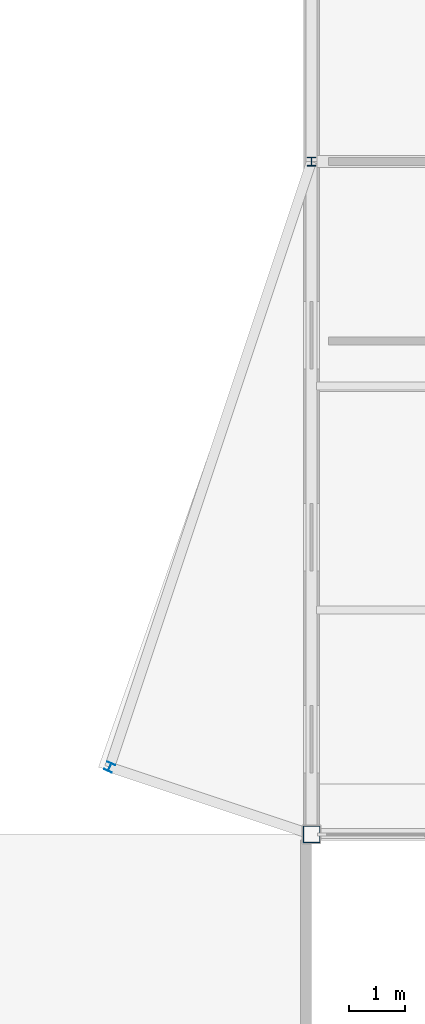
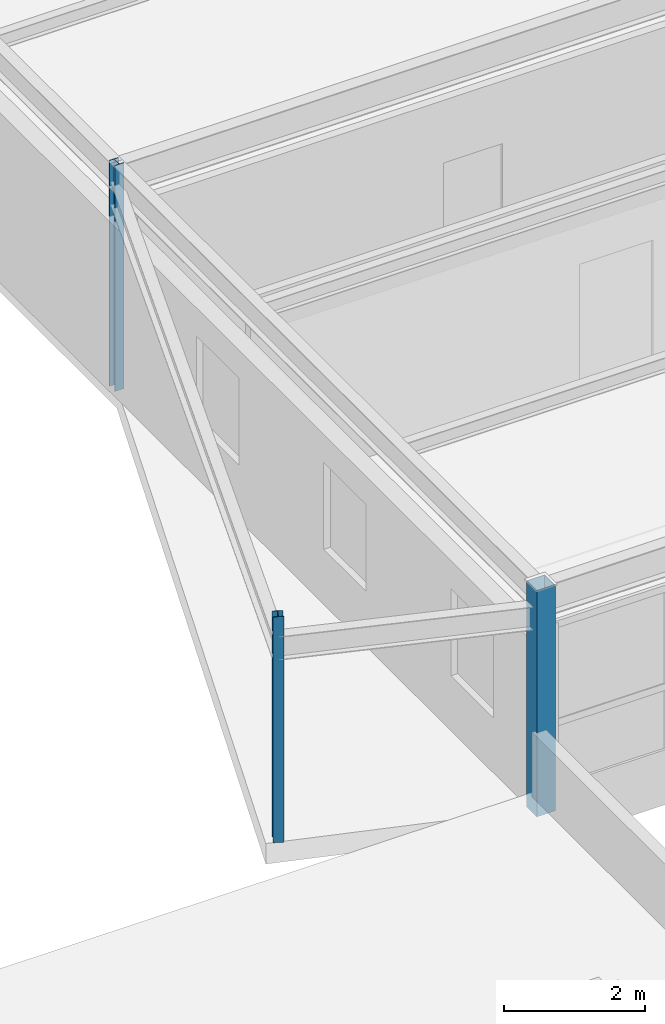
# One storey, part 21 of 128: 3 columns.
"""IFC4 building model written with IfcOpenShell, lengths in metres."""

from ifc_helpers import new_model, si_unit, direction, frame, origin, origin_2d, place, context, subcontext, project, spatial, hollow_rectangle, i_section, extrude, material, material_profile, profile_set, type_object, element, save


model = new_model("IFC4")

# Units and contexts
model_context = context("Model", 3, precision=1e-05, world=origin(), true_north=direction((0.0, 1.0)))
body_context = subcontext(model_context, "Body", "Model", "MODEL_VIEW")
ifc_project = project(units=[si_unit("LENGTHUNIT", "METRE"), si_unit("AREAUNIT", "SQUARE_METRE"), si_unit("VOLUMEUNIT", "CUBIC_METRE"), si_unit("PLANEANGLEUNIT", "RADIAN"), si_unit("MASSUNIT", "GRAM", prefix="KILO")], contexts=[model_context])

# Site, building, storey
site_placement = place(None, origin())
site = spatial("IfcSite", under=ifc_project, at=site_placement, CompositionType="ELEMENT")
building_placement = place(site_placement, origin())
building = spatial("IfcBuilding", under=site, at=building_placement, Name="Tarnwether General Hospital", CompositionType="ELEMENT")
storey_placement = place(building_placement, frame((0.0, 0.0, 14.39990234375)))
storey = spatial("IfcBuildingStorey", under=building, at=storey_placement, Name="L03", CompositionType="ELEMENT", Elevation=14.39990234375)

# Columns
ifc_material_1 = material(Name="Steel Grade C350L0 (350 MPa)", Category="steel")
ifc_material_profile_1 = material_profile(ifc_material_1, hollow_rectangle(XDim=0.300048828125, YDim=0.300048828125, WallThickness=0.012451171875, at=origin_2d()), Name="SHS300x300x12.5")
ifc_profile_set_1 = profile_set([ifc_material_profile_1], Name="Steel Grade C350L0 (350 MPa)")
column_type_1 = type_object("IfcColumnType", Name="COL-30", PredefinedType="COLUMN", material=ifc_profile_set_1)
column_1_placement = place(storey_placement, frame((144.0, 81.60009765625, 0.0), z_axis=(0.0, 0.0, 1.0), x_axis=(1.0, 0.0, 0.0)))
element("IfcColumn", 1, at=column_1_placement, inside=storey, type_object=column_type_1, Name="Column COLG-L03-14400_8160", PredefinedType="COLUMN", context=body_context, shape_type="SweptSolid", body=[
    extrude(hollow_rectangle(XDim=0.300048828125, YDim=0.300048828125, WallThickness=0.012451171875, at=origin_2d()), origin(), (0.0, 0.0, 1.0), 3.900146484375),
])
ifc_material_2 = material(Name="Steel Grade 350 (350 MPa)", Category="steel")
ifc_material_profile_2 = material_profile(ifc_material_2, i_section(OverallWidth=0.153076171875, OverallDepth=0.157958984375, WebThickness=0.006591796875, FlangeThickness=0.009521484375, at=origin_2d()), Name="150UC30.0")
ifc_profile_set_2 = profile_set([ifc_material_profile_2], Name="Steel Grade 350 (350 MPa)")
column_type_2 = type_object("IfcColumnType", Name="COL-31", PredefinedType="COLUMN", material=ifc_profile_set_2)
column_2_placement = place(storey_placement, frame((144.0, 93.60009765625, 0.0), z_axis=(0.0, 0.0, 1.0), x_axis=(1.0, 0.0, 0.0)))
element("IfcColumn", 2, at=column_2_placement, inside=storey, type_object=column_type_2, Name="Column COLG-L03-14400_9360", PredefinedType="COLUMN", context=body_context, shape_type="SweptSolid", body=[
    extrude(i_section(OverallWidth=0.153076171875, OverallDepth=0.157958984375, WebThickness=0.006591796875, FlangeThickness=0.009521484375, at=origin_2d()), origin(), (0.0, 0.0, 1.0), 3.900146484375),
])
ifc_material_3 = material(Name="Steel Grade 350 (350 MPa)", Category="steel")
ifc_material_profile_3 = material_profile(ifc_material_3, i_section(OverallWidth=0.152099609375, OverallDepth=0.152099609375, WebThickness=0.006103515625, FlangeThickness=0.0068359375, at=origin_2d()), Name="150UC23.4")
ifc_profile_set_3 = profile_set([ifc_material_profile_3], Name="Steel Grade 350 (350 MPa)")
column_type_3 = type_object("IfcColumnType", Name="COL-32", PredefinedType="COLUMN", material=ifc_profile_set_3)
column_3_placement = place(storey_placement, frame((140.39990234375, 82.800048828125, 0.0), z_axis=(0.0, 0.0, 1.0), x_axis=(0.913545457643, -0.406736643076, 0.0)))
element("IfcColumn", 3, at=column_3_placement, inside=storey, type_object=column_type_3, Name="Column COLG-L03-14040_8280", PredefinedType="COLUMN", context=body_context, shape_type="SweptSolid", body=[
    extrude(i_section(OverallWidth=0.152099609375, OverallDepth=0.152099609375, WebThickness=0.006103515625, FlangeThickness=0.0068359375, at=origin_2d()), origin(), (0.0, 0.0, 1.0), 3.900146484375),
])

save(model, "model.ifc")
